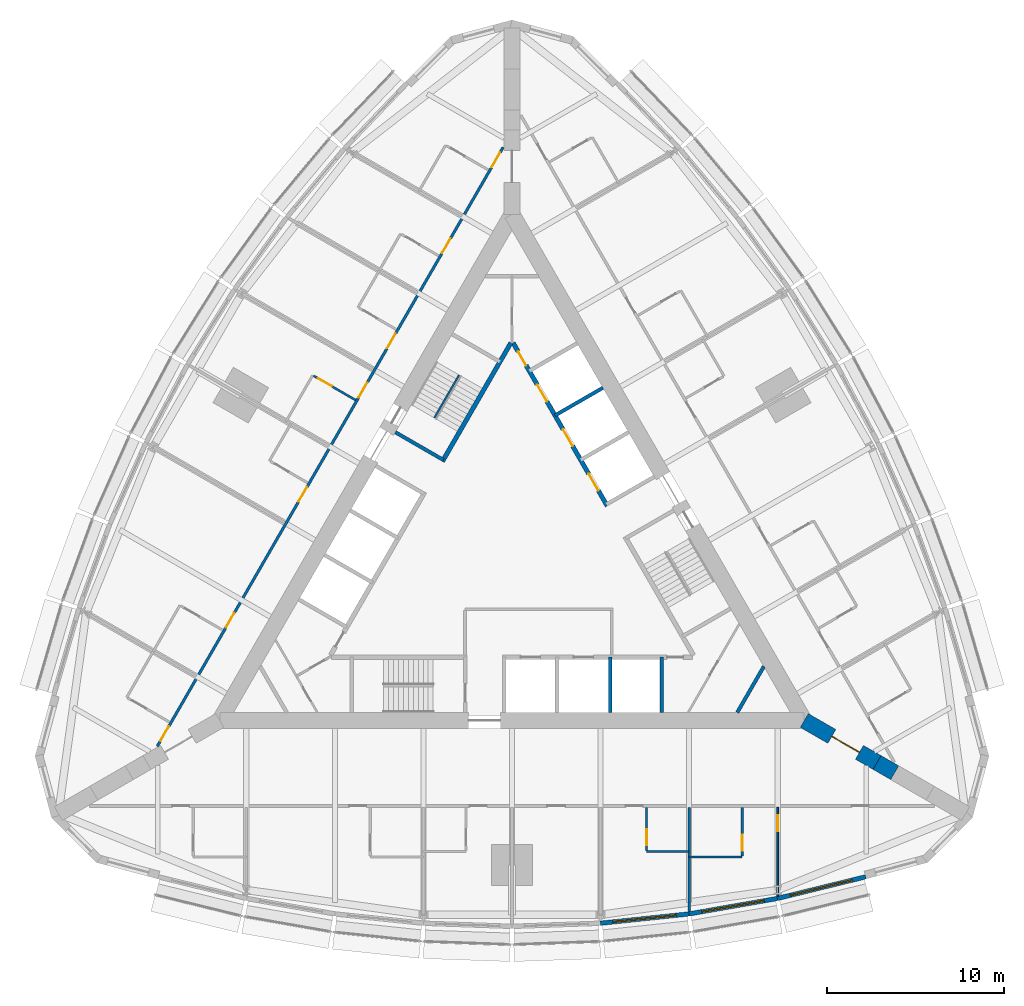
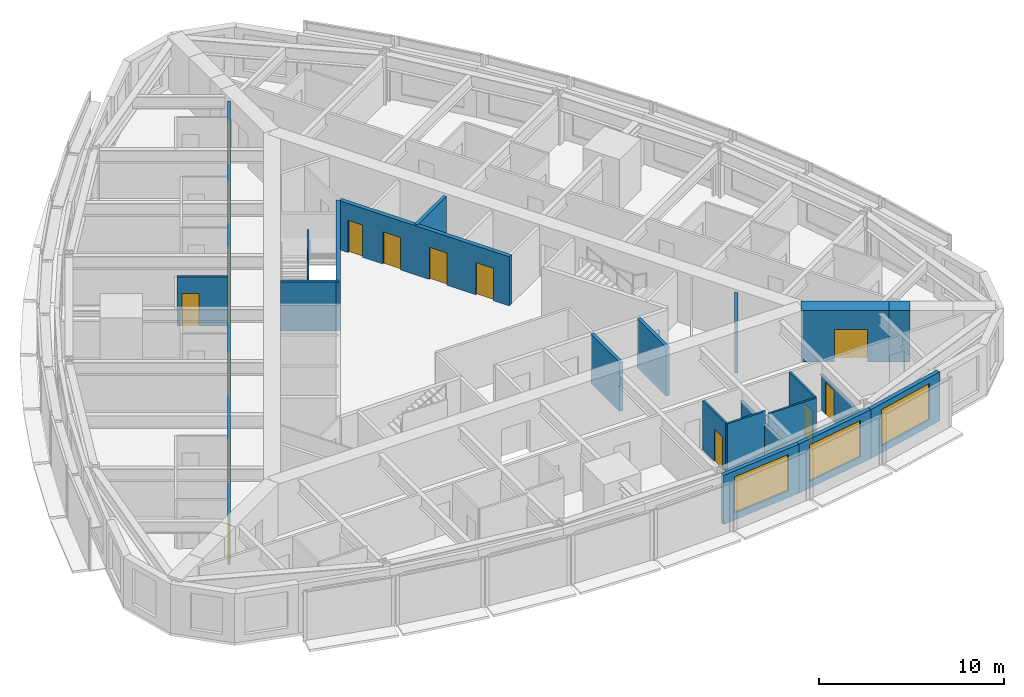
# One storey, part 10 of 14: 21 walls, 16 doors, 3 windows, 19 openings.
"""IFC4 building model written with IfcOpenShell, lengths in metres."""

from ifc_helpers import new_model, si_unit, direction, frame, frame_2d, origin, place, context, subcontext, project, spatial, rectangle, extrude, material, layer, layer_set, type_object, element, fill, save


model = new_model("IFC4")

# Units and contexts
model_context = context("Model", 3, precision=1e-05, world=origin(), true_north=direction((0.0, 1.0)))
body_context = subcontext(model_context, "Body", "Model", "MODEL_VIEW")
ifc_project = project(units=[si_unit("LENGTHUNIT", "METRE"), si_unit("AREAUNIT", "SQUARE_METRE"), si_unit("VOLUMEUNIT", "CUBIC_METRE"), si_unit("PLANEANGLEUNIT", "RADIAN"), si_unit("MASSUNIT", "GRAM", prefix="KILO")], contexts=[model_context])

# Site, building, storey
site_placement = place(None, origin())
site = spatial("IfcSite", under=ifc_project, at=site_placement, CompositionType="ELEMENT")
building_placement = place(site_placement, origin())
building = spatial("IfcBuilding", under=site, at=building_placement, Name="Trikona Tower", CompositionType="ELEMENT")
storey_placement = place(building_placement, frame((0.0, 0.0, 124.89990234375)))
storey = spatial("IfcBuildingStorey", under=building, at=storey_placement, Name="L32", CompositionType="ELEMENT", Elevation=124.89990234375)

# Wall
ifc_material_1 = material(Name="Metal stud and cement board", Category="gypsum")
ifc_layer_1 = layer(ifc_material_1, 0.1201171875)
ifc_layer_set_1 = layer_set([ifc_layer_1], Name="Bathroom wall 120")
wall_type_1 = type_object("IfcWallType", Name="Bathroom wall 120", PredefinedType="PLUMBINGWALL", material=ifc_layer_set_1)
wall_1_placement = place(storey_placement, frame((7.60009765625, -16.92626953125, 0.0), z_axis=(0.0, 0.0, 1.0), x_axis=(1.0, 0.0, 0.0)))
element("IfcWall", 1, at=wall_1_placement, inside=storey, type_object=wall_type_1, Name="Bathroom wall 3204", PredefinedType="PLUMBINGWALL", context=body_context, shape_type="SweptSolid", body=[
    extrude(rectangle(XDim=2.39990234375, YDim=0.1201171875, at=frame_2d((1.199951171875, 0.0))), origin(), (0.0, 0.0, 1.0), 3.235107421875),
])

# Wall, opening, door
wall_2_placement = place(storey_placement, frame((7.60009765625, -14.42626953125, 0.0), z_axis=(0.0, 0.0, 1.0), x_axis=(0.0, -1.0, 0.0)))
wall_2 = element("IfcWall", 2, at=wall_2_placement, inside=storey, type_object=wall_type_1, Name="Bathroom wall 3204", PredefinedType="PLUMBINGWALL", context=body_context, shape_type="SweptSolid", body=[
    extrude(rectangle(XDim=2.43994140625, YDim=0.1201171875, at=frame_2d((1.219970703125, 0.0))), origin(), (0.0, 0.0, 1.0), 3.235107421875),
])
opening_1_placement = place(wall_2_placement, frame((1.25, 0.0, 0.0)))
opening_1 = element("IfcOpeningElement", 3, at=opening_1_placement, cuts=wall_2, Name="Opening D2", PredefinedType="OPENING", context=body_context, shape_type="SweptSolid", body=[
    extrude(rectangle(XDim=0.89990234375, YDim=2.1298828125, at=frame_2d((0.449951171875, 1.06494140625))), frame((0.0, 0.070068359375, 0.0), z_axis=(0.0, -1.0, 0.0), x_axis=(1.0, 0.0, 0.0)), (0.0, 0.0, 1.0), 0.14013671875),
])
ifc_material_2 = material(Name="Steel door frame with solid-core timber leaf", Category="steel")
door_type_1 = type_object("IfcDoorType", Name="Bathroom door 900x2130", OperationType="SLIDING_TO_LEFT", PredefinedType="DOOR", material=ifc_material_2)
door_1_placement = place(opening_1_placement, origin())
door_1 = element("IfcDoor", 4, at=door_1_placement, inside=storey, type_object=door_type_1, Name="Bathroom door 3204", OperationType="SLIDING_TO_LEFT", OverallHeight=2.1298828125, OverallWidth=0.89990234375, PredefinedType="DOOR", context=body_context, shape_type="SweptSolid", body=[
    extrude(rectangle(XDim=0.89990234375, YDim=2.1298828125, at=frame_2d((0.449951171875, 1.06494140625))), frame((0.0, 0.02490234375, 0.0), z_axis=(0.0, -1.0, 0.0), x_axis=(1.0, 0.0, 0.0)), (0.0, 0.0, 1.0), 0.050048828125),
])
fill(opening_1, door_1)

# Wall
wall_3_placement = place(storey_placement, frame((10.0, -17.226318359375, 0.0), z_axis=(0.0, 0.0, 1.0), x_axis=(1.0, 0.0, 0.0)))
element("IfcWall", 5, at=wall_3_placement, inside=storey, type_object=wall_type_1, Name="Bathroom wall 3205.1", PredefinedType="PLUMBINGWALL", context=body_context, shape_type="SweptSolid", body=[
    extrude(rectangle(XDim=3.0, YDim=0.1201171875, at=frame_2d((1.5, 0.0))), origin(), (0.0, 0.0, 1.0), 3.235107421875),
])

# Wall, opening, door
wall_4_placement = place(storey_placement, frame((13.0, -14.42626953125, 0.0), z_axis=(0.0, 0.0, 1.0), x_axis=(0.0, -1.0, 0.0)))
wall_4 = element("IfcWall", 6, at=wall_4_placement, inside=storey, type_object=wall_type_1, Name="Bathroom wall 3205.1", PredefinedType="PLUMBINGWALL", context=body_context, shape_type="SweptSolid", body=[
    extrude(rectangle(XDim=2.739990234375, YDim=0.1201171875, at=frame_2d((1.3701171875, 0.0))), origin(), (0.0, 0.0, 1.0), 3.235107421875),
])
opening_2_placement = place(wall_4_placement, frame((1.550048828125, 0.0, 0.0)))
opening_2 = element("IfcOpeningElement", 7, at=opening_2_placement, cuts=wall_4, Name="Opening D2", PredefinedType="OPENING", context=body_context, shape_type="SweptSolid", body=[
    extrude(rectangle(XDim=0.89990234375, YDim=2.1298828125, at=frame_2d((0.449951171875, 1.06494140625))), frame((0.0, 0.070068359375, 0.0), z_axis=(0.0, -1.0, 0.0), x_axis=(1.0, 0.0, 0.0)), (0.0, 0.0, 1.0), 0.14013671875),
])
door_2_placement = place(opening_2_placement, origin())
door_2 = element("IfcDoor", 8, at=door_2_placement, inside=storey, type_object=door_type_1, Name="Bathroom door 3205.1", OperationType="SLIDING_TO_LEFT", OverallHeight=2.1298828125, OverallWidth=0.89990234375, PredefinedType="DOOR", context=body_context, shape_type="SweptSolid", body=[
    extrude(rectangle(XDim=0.89990234375, YDim=2.1298828125, at=frame_2d((0.449951171875, 1.06494140625))), frame((0.0, 0.02490234375, 0.0), z_axis=(0.0, -1.0, 0.0), x_axis=(1.0, 0.0, 0.0)), (0.0, 0.0, 1.0), 0.050048828125),
])
fill(opening_2, door_2)

wall_5_placement = place(storey_placement, frame((-8.82861328125, 8.561279296875, 0.0), z_axis=(0.0, 0.0, 1.0), x_axis=(-0.866035715982, 0.499982138324, 0.0)))
wall_5 = element("IfcWall", 9, at=wall_5_placement, inside=storey, type_object=wall_type_1, Name="Bathroom wall 3215", PredefinedType="PLUMBINGWALL", context=body_context, shape_type="SweptSolid", body=[
    extrude(rectangle(XDim=2.73974609375, YDim=0.1201171875, at=frame_2d((1.369873046875, 0.0))), origin(), (0.0, 0.0, 1.0), 3.235107421875),
])
opening_3_placement = place(wall_5_placement, frame((1.550048828125, 0.0, 0.0)))
opening_3 = element("IfcOpeningElement", 10, at=opening_3_placement, cuts=wall_5, Name="Opening D2", PredefinedType="OPENING", context=body_context, shape_type="SweptSolid", body=[
    extrude(rectangle(XDim=0.89990234375, YDim=2.1298828125, at=frame_2d((0.449951171875, 1.06494140625))), frame((0.0, 0.070068359375, 0.0), z_axis=(0.0, -1.0, 0.0), x_axis=(1.0, 0.0, 0.0)), (0.0, 0.0, 1.0), 0.14013671875),
])
door_3_placement = place(opening_3_placement, origin())
door_3 = element("IfcDoor", 11, at=door_3_placement, inside=storey, type_object=door_type_1, Name="Bathroom door 3215", OperationType="SLIDING_TO_LEFT", OverallHeight=2.1298828125, OverallWidth=0.89990234375, PredefinedType="DOOR", context=body_context, shape_type="SweptSolid", body=[
    extrude(rectangle(XDim=0.89990234375, YDim=2.1298828125, at=frame_2d((0.449951171875, 1.06494140625))), frame((0.0, 0.02490234375, 0.0), z_axis=(0.0, -1.0, 0.0), x_axis=(1.0, 0.0, 0.0)), (0.0, 0.0, 1.0), 0.050048828125),
])
fill(opening_3, door_3)

ifc_material_3 = material(Name="Concrete f'c 10000 psi", Category="concrete")
ifc_layer_2 = layer(ifc_material_3, 0.89990234375)
ifc_layer_set_2 = layer_set([ifc_layer_2], Name="Buttress wall 900")
wall_type_2 = type_object("IfcWallType", Name="Buttress wall 900", PredefinedType="SHEAR", material=ifc_layer_set_2)
wall_6_placement = place(storey_placement, frame((16.5, -9.5263671875, 0.0), z_axis=(0.0, 0.0, 1.0), x_axis=(0.866031398331, -0.499989616998, 0.0)))
wall_6 = element("IfcWall", 12, at=wall_6_placement, inside=storey, type_object=wall_type_2, Name="Buttress wall 1", PredefinedType="SHEAR", context=body_context, shape_type="SweptSolid", body=[
    extrude(rectangle(XDim=4.74609375, YDim=0.89990234375, at=frame_2d((2.373046875, 0.0))), origin(), (0.0, 0.0, 1.0), 3.400146484375),
])
opening_4_placement = place(wall_6_placement, frame((1.800048828125, 0.0, 0.0)))
opening_4 = element("IfcOpeningElement", 13, at=opening_4_placement, cuts=wall_6, Name="Opening D10", PredefinedType="OPENING", context=body_context, shape_type="SweptSolid", body=[
    extrude(rectangle(XDim=1.800048828125, YDim=2.1298828125, at=frame_2d((0.89990234375, 1.06494140625))), frame((0.0, 0.4599609375, 0.0), z_axis=(0.0, -1.0, 0.0), x_axis=(1.0, 0.0, 0.0)), (0.0, 0.0, 1.0), 0.919921875),
])
ifc_material_4 = material(Name="Hollow metal door and frame", Category="steel")
door_type_2 = type_object("IfcDoorType", Name="Cross-corridor door pair 1800x2130", OperationType="DOUBLE_DOOR_DOUBLE_SWING", PredefinedType="DOOR", material=ifc_material_4)
door_4_placement = place(opening_4_placement, origin())
door_4 = element("IfcDoor", 14, at=door_4_placement, inside=storey, type_object=door_type_2, Name="Cross-corridor door 1", OperationType="DOUBLE_DOOR_DOUBLE_SWING", OverallHeight=2.1298828125, OverallWidth=1.800048828125, PredefinedType="DOOR", context=body_context, shape_type="SweptSolid", body=[
    extrude(rectangle(XDim=1.800048828125, YDim=2.1298828125, at=frame_2d((0.89990234375, 1.06494140625))), frame((0.0, 0.02490234375, 0.0), z_axis=(0.0, -1.0, 0.0), x_axis=(1.0, 0.0, 0.0)), (0.0, 0.0, 1.0), 0.050048828125),
])
fill(opening_4, door_4)

# Wall
wall_7_placement = place(storey_placement, frame((20.6103515625, -11.8994140625, 0.0), z_axis=(0.0, 0.0, 1.0), x_axis=(0.866009537788, -0.500027479704, 0.0)))
element("IfcWall", 15, at=wall_7_placement, inside=storey, type_object=wall_type_2, Name="Buttress wall 1 part 2", PredefinedType="SHEAR", context=body_context, shape_type="SweptSolid", body=[
    extrude(rectangle(XDim=1.15478515625, YDim=0.89990234375, at=frame_2d((0.577392578125, 0.0))), origin(), (0.0, 0.0, 1.0), 3.400146484375),
])

# Wall, openings, doors
ifc_material_5 = material(Name="Metal stud and gypsum board, 1-hour", Category="gypsum")
ifc_layer_3 = layer(ifc_material_5, 0.14990234375)
ifc_layer_set_3 = layer_set([ifc_layer_3], Name="Corridor wall 150")
wall_type_3 = type_object("IfcWallType", Name="Corridor wall 150", PredefinedType="PARTITIONING", material=ifc_layer_set_3)
wall_8_placement = place(storey_placement, frame((-0.5, 22.83642578125, 0.0), z_axis=(0.0, 0.0, 1.0), x_axis=(-0.500001677587, -0.866024435227, 0.0)))
wall_8 = element("IfcWall", 16, at=wall_8_placement, inside=storey, type_object=wall_type_3, Name="Corridor wall L32-3", PredefinedType="PARTITIONING", context=body_context, shape_type="SweptSolid", body=[
    extrude(rectangle(XDim=39.053955078125, YDim=0.14990234375, at=frame_2d((19.52685546875, 0.0))), origin(), (0.0, 0.0, 1.0), 3.235107421875),
])
opening_5_placement = place(wall_8_placement, frame((0.35205078125, 0.0, 0.0)))
opening_5 = element("IfcOpeningElement", 17, at=opening_5_placement, cuts=wall_8, Name="Opening D1", PredefinedType="OPENING", context=body_context, shape_type="SweptSolid", body=[
    extrude(rectangle(XDim=0.949951171875, YDim=2.1298828125, at=frame_2d((0.47509765625, 1.06494140625))), frame((0.0, 0.0849609375, 0.0), z_axis=(0.0, -1.0, 0.0), x_axis=(1.0, 0.0, 0.0)), (0.0, 0.0, 1.0), 0.169921875),
])
opening_6_placement = place(wall_8_placement, frame((5.951904296875, 0.0, 0.0)))
opening_6 = element("IfcOpeningElement", 18, at=opening_6_placement, cuts=wall_8, Name="Opening D1", PredefinedType="OPENING", context=body_context, shape_type="SweptSolid", body=[
    extrude(rectangle(XDim=0.949951171875, YDim=2.1298828125, at=frame_2d((0.47509765625, 1.06494140625))), frame((0.0, 0.0849609375, 0.0), z_axis=(0.0, -1.0, 0.0), x_axis=(1.0, 0.0, 0.0)), (0.0, 0.0, 1.0), 0.169921875),
])
opening_7_placement = place(wall_8_placement, frame((12.152099609375, 0.0, 0.0)))
opening_7 = element("IfcOpeningElement", 19, at=opening_7_placement, cuts=wall_8, Name="Opening D1", PredefinedType="OPENING", context=body_context, shape_type="SweptSolid", body=[
    extrude(rectangle(XDim=0.949951171875, YDim=2.1298828125, at=frame_2d((0.47509765625, 1.06494140625))), frame((0.0, 0.0849609375, 0.0), z_axis=(0.0, -1.0, 0.0), x_axis=(1.0, 0.0, 0.0)), (0.0, 0.0, 1.0), 0.169921875),
])
opening_8_placement = place(wall_8_placement, frame((15.35205078125, 0.0, 0.0)))
opening_8 = element("IfcOpeningElement", 20, at=opening_8_placement, cuts=wall_8, Name="Opening D1", PredefinedType="OPENING", context=body_context, shape_type="SweptSolid", body=[
    extrude(rectangle(XDim=0.949951171875, YDim=2.1298828125, at=frame_2d((0.47509765625, 1.06494140625))), frame((0.0, 0.0849609375, 0.0), z_axis=(0.0, -1.0, 0.0), x_axis=(1.0, 0.0, 0.0)), (0.0, 0.0, 1.0), 0.169921875),
])
opening_9_placement = place(wall_8_placement, frame((22.152099609375, 0.0, 0.0)))
opening_9 = element("IfcOpeningElement", 21, at=opening_9_placement, cuts=wall_8, Name="Opening D1", PredefinedType="OPENING", context=body_context, shape_type="SweptSolid", body=[
    extrude(rectangle(XDim=0.949951171875, YDim=2.1298828125, at=frame_2d((0.47509765625, 1.06494140625))), frame((0.0, 0.0849609375, 0.0), z_axis=(0.0, -1.0, 0.0), x_axis=(1.0, 0.0, 0.0)), (0.0, 0.0, 1.0), 0.169921875),
])
opening_10_placement = place(wall_8_placement, frame((30.35205078125, 0.0, 0.0)))
opening_10 = element("IfcOpeningElement", 22, at=opening_10_placement, cuts=wall_8, Name="Opening D1", PredefinedType="OPENING", context=body_context, shape_type="SweptSolid", body=[
    extrude(rectangle(XDim=0.949951171875, YDim=2.1298828125, at=frame_2d((0.47509765625, 1.06494140625))), frame((0.0, 0.0849609375, 0.0), z_axis=(0.0, -1.0, 0.0), x_axis=(1.0, 0.0, 0.0)), (0.0, 0.0, 1.0), 0.169921875),
])
opening_11_placement = place(wall_8_placement, frame((37.751953125, 0.0, 0.0)))
opening_11 = element("IfcOpeningElement", 23, at=opening_11_placement, cuts=wall_8, Name="Opening D1", PredefinedType="OPENING", context=body_context, shape_type="SweptSolid", body=[
    extrude(rectangle(XDim=0.949951171875, YDim=2.1298828125, at=frame_2d((0.47509765625, 1.06494140625))), frame((0.0, 0.0849609375, 0.0), z_axis=(0.0, -1.0, 0.0), x_axis=(1.0, 0.0, 0.0)), (0.0, 0.0, 1.0), 0.169921875),
])
ifc_material_6 = material(Name="Steel door frame with solid-core timber leaf", Category="steel")
door_type_3 = type_object("IfcDoorType", Name="Guest room door 950x2130", OperationType="SINGLE_SWING_LEFT", PredefinedType="DOOR", material=ifc_material_6)
door_5_placement = place(opening_5_placement, origin())
door_5 = element("IfcDoor", 24, at=door_5_placement, inside=storey, type_object=door_type_3, Name="Room door 3212", OperationType="SINGLE_SWING_LEFT", OverallHeight=2.1298828125, OverallWidth=0.949951171875, PredefinedType="DOOR", context=body_context, shape_type="SweptSolid", body=[
    extrude(rectangle(XDim=0.949951171875, YDim=2.1298828125, at=frame_2d((0.47509765625, 1.06494140625))), frame((0.0, 0.02490234375, 0.0), z_axis=(0.0, -1.0, 0.0), x_axis=(1.0, 0.0, 0.0)), (0.0, 0.0, 1.0), 0.050048828125),
])
fill(opening_5, door_5)
door_6_placement = place(opening_6_placement, origin())
door_6 = element("IfcDoor", 25, at=door_6_placement, inside=storey, type_object=door_type_3, Name="Room door 3213", OperationType="SINGLE_SWING_RIGHT", OverallHeight=2.1298828125, OverallWidth=0.949951171875, PredefinedType="DOOR", context=body_context, shape_type="SweptSolid", body=[
    extrude(rectangle(XDim=0.949951171875, YDim=2.1298828125, at=frame_2d((0.47509765625, 1.06494140625))), frame((0.0, 0.02490234375, 0.0), z_axis=(0.0, -1.0, 0.0), x_axis=(1.0, 0.0, 0.0)), (0.0, 0.0, 1.0), 0.050048828125),
])
fill(opening_6, door_6)
door_7_placement = place(opening_7_placement, origin())
door_7 = element("IfcDoor", 26, at=door_7_placement, inside=storey, type_object=door_type_3, Name="Room door 3214", OperationType="SINGLE_SWING_LEFT", OverallHeight=2.1298828125, OverallWidth=0.949951171875, PredefinedType="DOOR", context=body_context, shape_type="SweptSolid", body=[
    extrude(rectangle(XDim=0.949951171875, YDim=2.1298828125, at=frame_2d((0.47509765625, 1.06494140625))), frame((0.0, 0.02490234375, 0.0), z_axis=(0.0, -1.0, 0.0), x_axis=(1.0, 0.0, 0.0)), (0.0, 0.0, 1.0), 0.050048828125),
])
fill(opening_7, door_7)
door_8_placement = place(opening_8_placement, origin())
door_8 = element("IfcDoor", 27, at=door_8_placement, inside=storey, type_object=door_type_3, Name="Room door 3215", OperationType="SINGLE_SWING_RIGHT", OverallHeight=2.1298828125, OverallWidth=0.949951171875, PredefinedType="DOOR", context=body_context, shape_type="SweptSolid", body=[
    extrude(rectangle(XDim=0.949951171875, YDim=2.1298828125, at=frame_2d((0.47509765625, 1.06494140625))), frame((0.0, 0.02490234375, 0.0), z_axis=(0.0, -1.0, 0.0), x_axis=(1.0, 0.0, 0.0)), (0.0, 0.0, 1.0), 0.050048828125),
])
fill(opening_8, door_8)
door_9_placement = place(opening_9_placement, origin())
door_9 = element("IfcDoor", 28, at=door_9_placement, inside=storey, type_object=door_type_3, Name="Room door 3216", OperationType="SINGLE_SWING_LEFT", OverallHeight=2.1298828125, OverallWidth=0.949951171875, PredefinedType="DOOR", context=body_context, shape_type="SweptSolid", body=[
    extrude(rectangle(XDim=0.949951171875, YDim=2.1298828125, at=frame_2d((0.47509765625, 1.06494140625))), frame((0.0, 0.02490234375, 0.0), z_axis=(0.0, -1.0, 0.0), x_axis=(1.0, 0.0, 0.0)), (0.0, 0.0, 1.0), 0.050048828125),
])
fill(opening_9, door_9)
door_10_placement = place(opening_10_placement, origin())
door_10 = element("IfcDoor", 29, at=door_10_placement, inside=storey, type_object=door_type_3, Name="Room door 3217", OperationType="SINGLE_SWING_RIGHT", OverallHeight=2.1298828125, OverallWidth=0.949951171875, PredefinedType="DOOR", context=body_context, shape_type="SweptSolid", body=[
    extrude(rectangle(XDim=0.949951171875, YDim=2.1298828125, at=frame_2d((0.47509765625, 1.06494140625))), frame((0.0, 0.02490234375, 0.0), z_axis=(0.0, -1.0, 0.0), x_axis=(1.0, 0.0, 0.0)), (0.0, 0.0, 1.0), 0.050048828125),
])
fill(opening_10, door_10)
door_11_placement = place(opening_11_placement, origin())
door_11 = element("IfcDoor", 30, at=door_11_placement, inside=storey, type_object=door_type_3, Name="Room door 3218", OperationType="SINGLE_SWING_RIGHT", OverallHeight=2.1298828125, OverallWidth=0.949951171875, PredefinedType="DOOR", context=body_context, shape_type="SweptSolid", body=[
    extrude(rectangle(XDim=0.949951171875, YDim=2.1298828125, at=frame_2d((0.47509765625, 1.06494140625))), frame((0.0, 0.02490234375, 0.0), z_axis=(0.0, -1.0, 0.0), x_axis=(1.0, 0.0, 0.0)), (0.0, 0.0, 1.0), 0.050048828125),
])
fill(opening_11, door_11)

ifc_material_7 = material(Name="Concrete f'c 8000 psi", Category="concrete")
ifc_layer_4 = layer(ifc_material_7, 0.25)
ifc_layer_set_4 = layer_set([ifc_layer_4], Name="Hub wall 250")
wall_type_4 = type_object("IfcWallType", Name="Hub wall 250", PredefinedType="SOLIDWALL", material=ifc_layer_set_4)
wall_9_placement = place(storey_placement, frame((5.37890625, 2.5859375, 0.0), z_axis=(0.0, 0.0, 1.0), x_axis=(-0.500001375892, 0.866024609411, 0.0)))
wall_9 = element("IfcWall", 31, at=wall_9_placement, inside=storey, type_object=wall_type_4, Name="Lift lobby wall B2", PredefinedType="SOLIDWALL", context=body_context, shape_type="SweptSolid", body=[
    extrude(rectangle(XDim=10.6328125, YDim=0.25, at=frame_2d((5.31640625, 0.0))), origin(), (0.0, 0.0, 1.0), 3.235107421875),
])
opening_12_placement = place(wall_9_placement, frame((9.1640625, 0.0, 0.0)))
opening_12 = element("IfcOpeningElement", 32, at=opening_12_placement, cuts=wall_9, Name="Opening D14", PredefinedType="OPENING", context=body_context, shape_type="SweptSolid", body=[
    extrude(rectangle(XDim=0.89990234375, YDim=2.1298828125, at=frame_2d((0.449951171875, 1.06494140625))), frame((0.0, 0.135009765625, 0.0), z_axis=(0.0, -1.0, 0.0), x_axis=(1.0, 0.0, 0.0)), (0.0, 0.0, 1.0), 0.27001953125),
])
opening_13_placement = place(wall_9_placement, frame((1.0, 0.0, 0.0)))
opening_13 = element("IfcOpeningElement", 33, at=opening_13_placement, cuts=wall_9, Name="Opening LD", PredefinedType="OPENING", context=body_context, shape_type="SweptSolid", body=[
    extrude(rectangle(XDim=1.10009765625, YDim=2.1298828125, at=frame_2d((0.550048828125, 1.06494140625))), frame((0.0, 0.135009765625, 0.0), z_axis=(0.0, -1.0, 0.0), x_axis=(1.0, 0.0, 0.0)), (0.0, 0.0, 1.0), 0.27001953125),
])
opening_14_placement = place(wall_9_placement, frame((3.89990234375, 0.0, 0.0)))
opening_14 = element("IfcOpeningElement", 34, at=opening_14_placement, cuts=wall_9, Name="Opening LD", PredefinedType="OPENING", context=body_context, shape_type="SweptSolid", body=[
    extrude(rectangle(XDim=1.10009765625, YDim=2.1298828125, at=frame_2d((0.550048828125, 1.06494140625))), frame((0.0, 0.135009765625, 0.0), z_axis=(0.0, -1.0, 0.0), x_axis=(1.0, 0.0, 0.0)), (0.0, 0.0, 1.0), 0.27001953125),
])
opening_15_placement = place(wall_9_placement, frame((6.800048828125, 0.0, 0.0)))
opening_15 = element("IfcOpeningElement", 35, at=opening_15_placement, cuts=wall_9, Name="Opening LD", PredefinedType="OPENING", context=body_context, shape_type="SweptSolid", body=[
    extrude(rectangle(XDim=1.10009765625, YDim=2.1298828125, at=frame_2d((0.550048828125, 1.06494140625))), frame((0.0, 0.135009765625, 0.0), z_axis=(0.0, -1.0, 0.0), x_axis=(1.0, 0.0, 0.0)), (0.0, 0.0, 1.0), 0.27001953125),
])
ifc_material_8 = material(Name="Stainless steel lift landing door", Category="steel")
door_type_4 = type_object("IfcDoorType", Name="Lift landing door 1100x2130", OperationType="DOUBLE_DOOR_SLIDING", PredefinedType="USERDEFINED", material=ifc_material_8)
door_12_placement = place(opening_13_placement, origin())
door_12 = element("IfcDoor", 36, at=door_12_placement, inside=storey, type_object=door_type_4, Name="Lift landing door L2-1", ObjectType="LIFT LANDING DOOR", OperationType="DOUBLE_DOOR_SLIDING", OverallHeight=2.1298828125, OverallWidth=1.10009765625, PredefinedType="USERDEFINED", context=body_context, shape_type="SweptSolid", body=[
    extrude(rectangle(XDim=1.10009765625, YDim=2.1298828125, at=frame_2d((0.550048828125, 1.06494140625))), frame((0.0, 0.02490234375, 0.0), z_axis=(0.0, -1.0, 0.0), x_axis=(1.0, 0.0, 0.0)), (0.0, 0.0, 1.0), 0.050048828125),
])
fill(opening_13, door_12)
door_13_placement = place(opening_14_placement, origin())
door_13 = element("IfcDoor", 37, at=door_13_placement, inside=storey, type_object=door_type_4, Name="Lift landing door L2-2", ObjectType="LIFT LANDING DOOR", OperationType="DOUBLE_DOOR_SLIDING", OverallHeight=2.1298828125, OverallWidth=1.10009765625, PredefinedType="USERDEFINED", context=body_context, shape_type="SweptSolid", body=[
    extrude(rectangle(XDim=1.10009765625, YDim=2.1298828125, at=frame_2d((0.550048828125, 1.06494140625))), frame((0.0, 0.02490234375, 0.0), z_axis=(0.0, -1.0, 0.0), x_axis=(1.0, 0.0, 0.0)), (0.0, 0.0, 1.0), 0.050048828125),
])
fill(opening_14, door_13)
door_14_placement = place(opening_15_placement, origin())
door_14 = element("IfcDoor", 38, at=door_14_placement, inside=storey, type_object=door_type_4, Name="Lift landing door L2-3", ObjectType="LIFT LANDING DOOR", OperationType="DOUBLE_DOOR_SLIDING", OverallHeight=2.1298828125, OverallWidth=1.10009765625, PredefinedType="USERDEFINED", context=body_context, shape_type="SweptSolid", body=[
    extrude(rectangle(XDim=1.10009765625, YDim=2.1298828125, at=frame_2d((0.550048828125, 1.06494140625))), frame((0.0, 0.02490234375, 0.0), z_axis=(0.0, -1.0, 0.0), x_axis=(1.0, 0.0, 0.0)), (0.0, 0.0, 1.0), 0.050048828125),
])
fill(opening_15, door_14)
ifc_material_9 = material(Name="Hollow metal door and frame", Category="steel")
door_type_5 = type_object("IfcDoorType", Name="Service room door 900x2130", OperationType="SINGLE_SWING_LEFT", PredefinedType="DOOR", material=ifc_material_9)
door_15_placement = place(opening_12_placement, origin())
door_15 = element("IfcDoor", 39, at=door_15_placement, inside=storey, type_object=door_type_5, Name="Door Ice and vending ICE", OperationType="SINGLE_SWING_RIGHT", OverallHeight=2.1298828125, OverallWidth=0.89990234375, PredefinedType="DOOR", context=body_context, shape_type="SweptSolid", body=[
    extrude(rectangle(XDim=0.89990234375, YDim=2.1298828125, at=frame_2d((0.449951171875, 1.06494140625))), frame((0.0, 0.02490234375, 0.0), z_axis=(0.0, -1.0, 0.0), x_axis=(1.0, 0.0, 0.0)), (0.0, 0.0, 1.0), 0.050048828125),
])
fill(opening_12, door_15)

# Wall
wall_10_placement = place(storey_placement, frame((-0.0625, 11.794189453125, 0.0), z_axis=(0.0, 0.0, 1.0), x_axis=(-0.500006680225, -0.86602154692, 0.0)))
element("IfcWall", 40, at=wall_10_placement, inside=storey, type_object=wall_type_4, Name="Lift lobby wall C1", PredefinedType="SOLIDWALL", context=body_context, shape_type="SweptSolid", body=[
    extrude(rectangle(XDim=7.73291015625, YDim=0.25, at=frame_2d((3.866455078125, 0.0))), origin(), (0.0, 0.0, 1.0), 3.235107421875),
])

# Wall, opening, window
ifc_material_10 = material(Name="Insulated precast concrete spandrel panel", Category="concrete")
ifc_layer_5 = layer(ifc_material_10, 0.25)
ifc_layer_set_5 = layer_set([ifc_layer_5], Name="Inner skin wall 250")
wall_type_5 = type_object("IfcWallType", Name="Inner skin wall 250", PredefinedType="STANDARD", material=ifc_layer_set_5)
wall_11_placement = place(storey_placement, frame((4.98681640625, -20.975830078125, 0.0), z_axis=(0.0, 0.0, 1.0), x_axis=(0.994534683851, 0.104406717299, 0.0)))
wall_11 = element("IfcWall", 41, at=wall_11_placement, inside=storey, type_object=wall_type_5, Name="External wall L32-05", PredefinedType="STANDARD", context=body_context, shape_type="SweptSolid", body=[
    extrude(rectangle(XDim=5.027587890625, YDim=0.25, at=frame_2d((2.513671875, 0.0))), origin(), (0.0, 0.0, 1.0), 3.235107421875),
])
opening_16_placement = place(wall_11_placement, frame((0.713623046875, 0.0, 0.449951171875)))
opening_16 = element("IfcOpeningElement", 42, at=opening_16_placement, cuts=wall_11, Name="Opening W3624", PredefinedType="OPENING", context=body_context, shape_type="SweptSolid", body=[
    extrude(rectangle(XDim=3.60009765625, YDim=2.39990234375, at=frame_2d((1.800048828125, 1.199951171875))), frame((0.0, 0.135009765625, 0.0), z_axis=(0.0, -1.0, 0.0), x_axis=(1.0, 0.0, 0.0)), (0.0, 0.0, 1.0), 0.27001953125),
])
ifc_material_11 = material(Name="Aluminium-framed double glazing", Category="aluminium")
window_type = type_object("IfcWindowType", Name="Window 3600x2400", PartitioningType="SINGLE_PANEL", PredefinedType="WINDOW", material=ifc_material_11)
window_1_placement = place(opening_16_placement, origin())
window_1 = element("IfcWindow", 43, at=window_1_placement, inside=storey, type_object=window_type, Name="Window 3204", OverallHeight=2.39990234375, OverallWidth=3.60009765625, PartitioningType="SINGLE_PANEL", PredefinedType="WINDOW", context=body_context, shape_type="SweptSolid", body=[
    extrude(rectangle(XDim=3.60009765625, YDim=2.39990234375, at=frame_2d((1.800048828125, 1.199951171875))), frame((0.0, 0.030029296875, 0.0), z_axis=(0.0, -1.0, 0.0), x_axis=(1.0, 0.0, 0.0)), (0.0, 0.0, 1.0), 0.06005859375),
])
fill(opening_16, window_1)

wall_12_placement = place(storey_placement, frame((9.978515625, -20.4521484375, 0.0), z_axis=(0.0, 0.0, 1.0), x_axis=(0.985030467156, 0.172380331752, 0.0)))
wall_12 = element("IfcWall", 44, at=wall_12_placement, inside=storey, type_object=wall_type_5, Name="External wall L32-06", PredefinedType="STANDARD", context=body_context, shape_type="SweptSolid", body=[
    extrude(rectangle(XDim=5.075927734375, YDim=0.25, at=frame_2d((2.5380859375, 0.0))), origin(), (0.0, 0.0, 1.0), 3.235107421875),
])
opening_17_placement = place(wall_12_placement, frame((0.738037109375, 0.0, 0.449951171875)))
opening_17 = element("IfcOpeningElement", 45, at=opening_17_placement, cuts=wall_12, Name="Opening W3624", PredefinedType="OPENING", context=body_context, shape_type="SweptSolid", body=[
    extrude(rectangle(XDim=3.60009765625, YDim=2.39990234375, at=frame_2d((1.800048828125, 1.199951171875))), frame((0.0, 0.135009765625, 0.0), z_axis=(0.0, -1.0, 0.0), x_axis=(1.0, 0.0, 0.0)), (0.0, 0.0, 1.0), 0.27001953125),
])
window_2_placement = place(opening_17_placement, origin())
window_2 = element("IfcWindow", 46, at=window_2_placement, inside=storey, type_object=window_type, Name="Window 3205.1", OverallHeight=2.39990234375, OverallWidth=3.60009765625, PartitioningType="SINGLE_PANEL", PredefinedType="WINDOW", context=body_context, shape_type="SweptSolid", body=[
    extrude(rectangle(XDim=3.60009765625, YDim=2.39990234375, at=frame_2d((1.800048828125, 1.199951171875))), frame((0.0, 0.030029296875, 0.0), z_axis=(0.0, -1.0, 0.0), x_axis=(1.0, 0.0, 0.0)), (0.0, 0.0, 1.0), 0.06005859375),
])
fill(opening_17, window_2)

wall_13_placement = place(storey_placement, frame((14.97021484375, -19.578857421875, 0.0), z_axis=(0.0, 0.0, 1.0), x_axis=(0.971270024053, 0.237980126011, 0.0)))
wall_13 = element("IfcWall", 47, at=wall_13_placement, inside=storey, type_object=wall_type_5, Name="External wall L32-07", PredefinedType="STANDARD", context=body_context, shape_type="SweptSolid", body=[
    extrude(rectangle(XDim=5.14794921875, YDim=0.25, at=frame_2d((2.573974609375, 0.0))), origin(), (0.0, 0.0, 1.0), 3.235107421875),
])
opening_18_placement = place(wall_13_placement, frame((0.77392578125, 0.0, 0.449951171875)))
opening_18 = element("IfcOpeningElement", 48, at=opening_18_placement, cuts=wall_13, Name="Opening W3624", PredefinedType="OPENING", context=body_context, shape_type="SweptSolid", body=[
    extrude(rectangle(XDim=3.60009765625, YDim=2.39990234375, at=frame_2d((1.800048828125, 1.199951171875))), frame((0.0, 0.135009765625, 0.0), z_axis=(0.0, -1.0, 0.0), x_axis=(1.0, 0.0, 0.0)), (0.0, 0.0, 1.0), 0.27001953125),
])
window_3_placement = place(opening_18_placement, origin())
window_3 = element("IfcWindow", 49, at=window_3_placement, inside=storey, type_object=window_type, Name="Window 3205", OverallHeight=2.39990234375, OverallWidth=3.60009765625, PartitioningType="SINGLE_PANEL", PredefinedType="WINDOW", context=body_context, shape_type="SweptSolid", body=[
    extrude(rectangle(XDim=3.60009765625, YDim=2.39990234375, at=frame_2d((1.800048828125, 1.199951171875))), frame((0.0, 0.030029296875, 0.0), z_axis=(0.0, -1.0, 0.0), x_axis=(1.0, 0.0, 0.0)), (0.0, 0.0, 1.0), 0.06005859375),
])
fill(opening_18, window_3)

# Walls
ifc_material_12 = material(Name="Metal stud and gypsum board, 1-hour acoustic", Category="gypsum")
ifc_layer_6 = layer(ifc_material_12, 0.14990234375)
ifc_layer_set_6 = layer_set([ifc_layer_6], Name="Party wall 150")
wall_type_6 = type_object("IfcWallType", Name="Party wall 150", PredefinedType="PARTITIONING", material=ifc_layer_set_6)
wall_14_placement = place(storey_placement, frame((10.0, -14.42626953125, 0.0), z_axis=(0.0, 0.0, 1.0), x_axis=(0.0, -1.0, 0.0)))
element("IfcWall", 50, at=wall_14_placement, inside=storey, type_object=wall_type_6, Name="Partition L32 F1 u10", PredefinedType="PARTITIONING", context=body_context, shape_type="SweptSolid", body=[
    extrude(rectangle(XDim=5.89501953125, YDim=0.14990234375, at=frame_2d((2.947509765625, 0.0))), origin(), (0.0, 0.0, 1.0), 2.389404296875),
])
ifc_material_13 = material(Name="Concrete f'c 8000 psi", Category="concrete")
ifc_layer_7 = layer(ifc_material_13, 0.199951171875)
ifc_layer_set_7 = layer_set([ifc_layer_7], Name="Shaft wall 200")
wall_type_7 = type_object("IfcWallType", Name="Shaft wall 200", PredefinedType="SOLIDWALL", material=ifc_layer_set_7)
for number, where, z_axis, x_axis, name in (
    (51, (5.550048828125, -5.951416015625, 0.0), (0.0, 0.0, 1.0), (0.0, -1.0, 0.0), "Shaft wall A5"),
    (52, (8.449951171875, -5.951416015625, 0.0), (0.0, 0.0, 1.0), (0.0, -1.0, 0.0), "Shaft wall A6"),
    (53, (2.428955078125, 7.695556640625, 0.0), (0.0, 0.0, 1.0), (0.866022959057, 0.500004234368, 0.0), "Shaft wall B5"),
):
    element("IfcWall", number, at=place(storey_placement, frame(where, z_axis=z_axis, x_axis=x_axis)), inside=storey, type_object=wall_type_7, Name=name, PredefinedType="SOLIDWALL", context=body_context, shape_type="SweptSolid", body=[
        extrude(rectangle(XDim=3.125, YDim=0.199951171875, at=frame_2d((1.5625, 0.0))), origin(), (0.0, 0.0, 1.0), 3.235107421875),
    ])
wall_15_placement = place(storey_placement, frame((14.219482421875, -6.476318359375, 0.0), z_axis=(0.0, 0.0, 1.0), x_axis=(-0.499952404951, -0.866052881055, 0.0)))
element("IfcWall", 54, at=wall_15_placement, inside=storey, type_object=wall_type_7, Name="Riser wall L32-RS1", PredefinedType="SOLIDWALL", context=body_context, shape_type="SweptSolid", body=[
    extrude(rectangle(XDim=3.002197265625, YDim=0.199951171875, at=frame_2d((1.5009765625, 0.0))), origin(), (0.0, 0.0, 1.0), 3.235107421875),
])
ifc_material_14 = material(Name="Concrete f'c 8000 psi", Category="concrete")
ifc_layer_8 = layer(ifc_material_14, 0.199951171875)
ifc_layer_set_8 = layer_set([ifc_layer_8], Name="Shaft wall 200 load-bearing")
wall_type_8 = type_object("IfcWallType", Name="Shaft wall 200 load-bearing", PredefinedType="SOLIDWALL", material=ifc_layer_set_8)
wall_16_placement = place(storey_placement, frame((-3.87890625, 5.18408203125, 0.0), z_axis=(0.0, 0.0, 1.0), x_axis=(-0.866022959057, 0.500004234368, 0.0)))
element("IfcWall", 55, at=wall_16_placement, inside=storey, type_object=wall_type_8, Name="Shaft wall C2", PredefinedType="SOLIDWALL", context=body_context, shape_type="SweptSolid", body=[
    extrude(rectangle(XDim=3.125, YDim=0.199951171875, at=frame_2d((1.5625, 0.0))), origin(), (0.0, 0.0, 1.0), 3.235107421875),
])
ifc_material_15 = material(Name="Concrete f'c 5000 psi", Category="concrete")
ifc_layer_9 = layer(ifc_material_15, 0.10009765625)
ifc_layer_set_9 = layer_set([ifc_layer_9], Name="Stair spine wall 100")
wall_type_9 = type_object("IfcWallType", Name="Stair spine wall 100", PredefinedType="SOLIDWALL", material=ifc_layer_set_9)
wall_17_placement = place(storey_placement, frame((-2.98779296875, 9.9775390625, 0.0), z_axis=(0.0, 0.0, 1.0), x_axis=(-0.499992232847, -0.866029888106, 0.0)))
element("IfcWall", 56, at=wall_17_placement, inside=storey, type_object=wall_type_9, Name="Stair C spine wall L32", PredefinedType="SOLIDWALL", context=body_context, shape_type="SweptSolid", body=[
    extrude(rectangle(XDim=2.7939453125, YDim=0.10009765625, at=frame_2d((1.39697265625, 0.0))), origin(), (0.0, 0.0, 1.0), 3.400146484375),
])

# Wall, opening, door
ifc_material_16 = material(Name="Metal stud and gypsum board, acoustic", Category="gypsum")
ifc_layer_10 = layer(ifc_material_16, 0.10009765625)
ifc_layer_set_10 = layer_set([ifc_layer_10], Name="Suite partition 100")
wall_type_10 = type_object("IfcWallType", Name="Suite partition 100", PredefinedType="PARTITIONING", material=ifc_layer_set_10)
wall_18_placement = place(storey_placement, frame((15.0, -14.42626953125, 0.0), z_axis=(0.0, 0.0, 1.0), x_axis=(0.0, -1.0, 0.0)))
wall_18 = element("IfcWall", 57, at=wall_18_placement, inside=storey, type_object=wall_type_10, Name="Suite partition L32 F1 u15", PredefinedType="PARTITIONING", context=body_context, shape_type="SweptSolid", body=[
    extrude(rectangle(XDim=5.0166015625, YDim=0.10009765625, at=frame_2d((2.50830078125, 0.0))), origin(), (0.0, 0.0, 1.0), 2.389404296875),
])
opening_19_placement = place(wall_18_placement, frame((0.449951171875, 0.0, 0.0)))
opening_19 = element("IfcOpeningElement", 58, at=opening_19_placement, cuts=wall_18, Name="Opening D13", PredefinedType="OPENING", context=body_context, shape_type="SweptSolid", body=[
    extrude(rectangle(XDim=0.89990234375, YDim=2.1298828125, at=frame_2d((0.449951171875, 1.06494140625))), frame((0.0, 0.06005859375, 0.0), z_axis=(0.0, -1.0, 0.0), x_axis=(1.0, 0.0, 0.0)), (0.0, 0.0, 1.0), 0.1201171875),
])
ifc_material_17 = material(Name="Steel door frame with solid-core timber leaf", Category="steel")
door_type_6 = type_object("IfcDoorType", Name="Suite door 900x2130", OperationType="SINGLE_SWING_LEFT", PredefinedType="DOOR", material=ifc_material_17)
door_16_placement = place(opening_19_placement, origin())
door_16 = element("IfcDoor", 59, at=door_16_placement, inside=storey, type_object=door_type_6, Name="Suite door 3205", OperationType="SINGLE_SWING_LEFT", OverallHeight=2.1298828125, OverallWidth=0.89990234375, PredefinedType="DOOR", context=body_context, shape_type="SweptSolid", body=[
    extrude(rectangle(XDim=0.89990234375, YDim=2.1298828125, at=frame_2d((0.449951171875, 1.06494140625))), frame((0.0, 0.02490234375, 0.0), z_axis=(0.0, -1.0, 0.0), x_axis=(1.0, 0.0, 0.0)), (0.0, 0.0, 1.0), 0.050048828125),
])
fill(opening_19, door_16)

save(model, "model.ifc")
